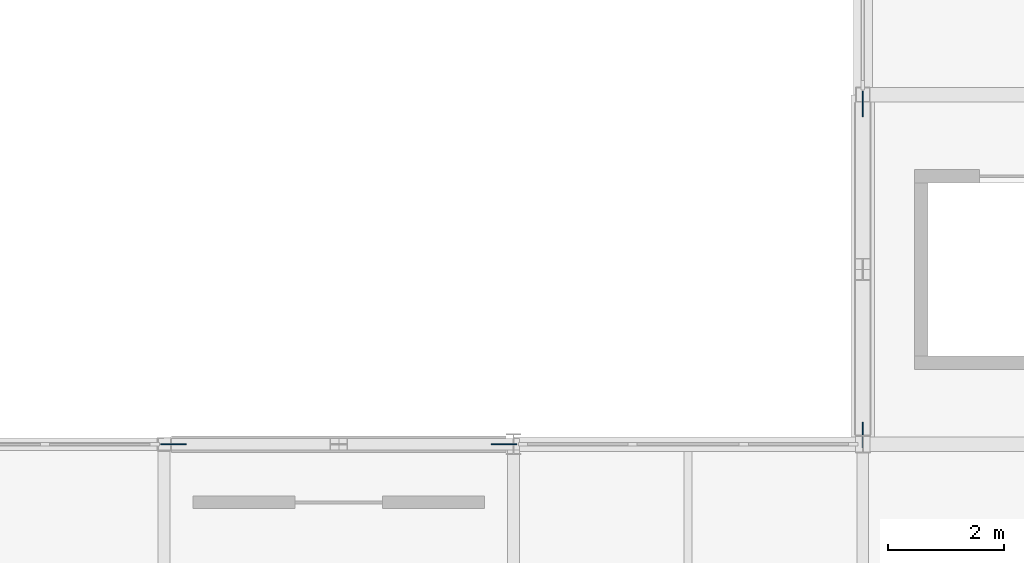
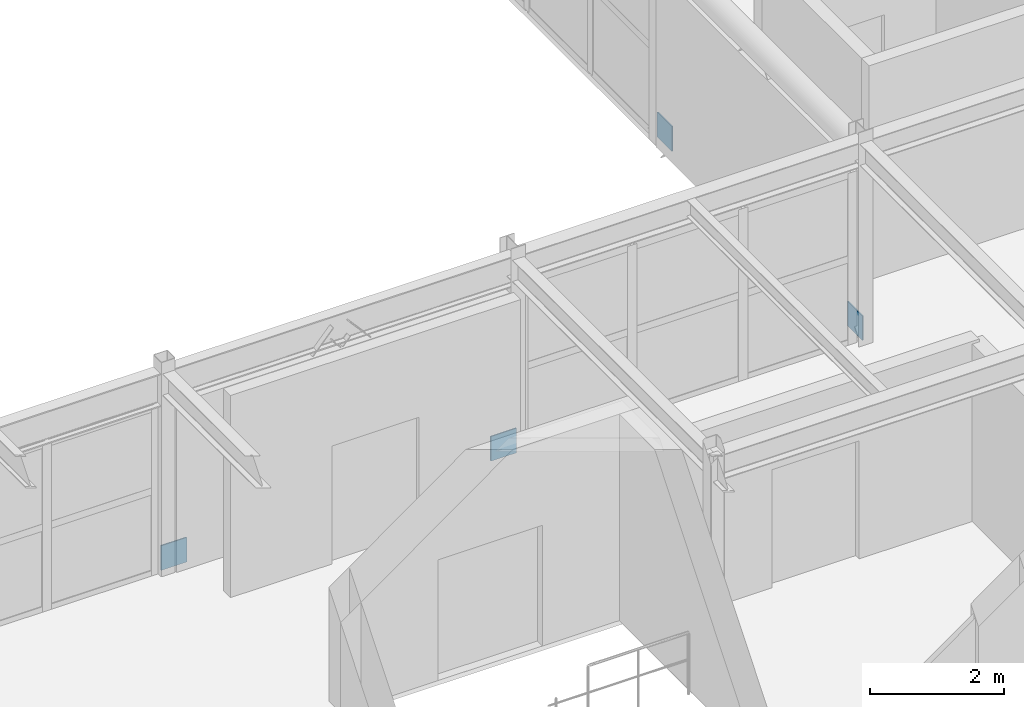
# One storey, part 57 of 63: 4 discrete accessories.
"""IFC4 building model written with IfcOpenShell, lengths in metres."""

from ifc_helpers import new_model, si_unit, direction, frame, origin, origin_2d, place, context, subcontext, project, spatial, rectangle, extrude, material, layer, layer_set, type_object, element, save


model = new_model("IFC4")

# Units and contexts
model_context = context("Model", 3, precision=1e-05, world=origin(), true_north=direction((0.0, 1.0)))
body_context = subcontext(model_context, "Body", "Model", "MODEL_VIEW")
ifc_project = project(units=[si_unit("LENGTHUNIT", "METRE"), si_unit("AREAUNIT", "SQUARE_METRE"), si_unit("VOLUMEUNIT", "CUBIC_METRE"), si_unit("PLANEANGLEUNIT", "RADIAN"), si_unit("MASSUNIT", "GRAM", prefix="KILO")], contexts=[model_context])

# Site, building, storey
site_placement = place(None, origin())
site = spatial("IfcSite", under=ifc_project, at=site_placement, CompositionType="ELEMENT")
building_placement = place(site_placement, origin())
building = spatial("IfcBuilding", under=site, at=building_placement, Name="Varnakota Square Police Headquarters", CompositionType="ELEMENT")
storey_placement = place(building_placement, frame((0.0, 0.0, 22.199951171875)))
storey = spatial("IfcBuildingStorey", under=building, at=storey_placement, Name="L05", CompositionType="ELEMENT", Elevation=22.199951171875)

# Discrete accessories
ifc_material = material(Name="Steel IS 2062 Grade 350", Category="steel")
ifc_layer = layer(ifc_material, 0.64990234375, Name="Steel IS 2062 Grade 350")
ifc_layer_set = layer_set([ifc_layer], Name="Steel IS 2062 Grade 350")
discrete_accessory_type = type_object("IfcDiscreteAccessoryType", Name="ACC-EMB-350", PredefinedType="BRACKET", material=ifc_layer_set)
for number, where, z_axis, x_axis, name in (
    (1, (126.159912109375, 15.0, 0.02490234375), (0.0, 0.0, 1.0), (1.0, 0.0, 0.0), "Brace gusset connection plate BF1 L05 L"),
    (2, (131.840087890625, 15.0, 0.02490234375), (0.0, 0.0, 1.0), (1.0, 0.0, 0.0), "Brace gusset connection plate BF1 L05 R"),
    (3, (138.0, 15.159912109375, 0.02490234375), (0.0, 0.0, 1.0), (0.0, 1.0, 0.0), "Brace gusset connection plate BF2 L05 L"),
    (4, (138.0, 20.840087890625, 0.02490234375), (0.0, 0.0, 1.0), (0.0, 1.0, 0.0), "Brace gusset connection plate BF2 L05 R"),
):
    element("IfcDiscreteAccessory", number, at=place(storey_placement, frame(where, z_axis=z_axis, x_axis=x_axis)), inside=storey, type_object=discrete_accessory_type, Name=name, PredefinedType="BRACKET", context=body_context, shape_type="SweptSolid", body=[
        extrude(rectangle(XDim=0.43994140625, YDim=0.02001953125, at=origin_2d()), origin(), (0.0, 0.0, 1.0), 0.449951171875),
    ])

save(model, "model.ifc")
